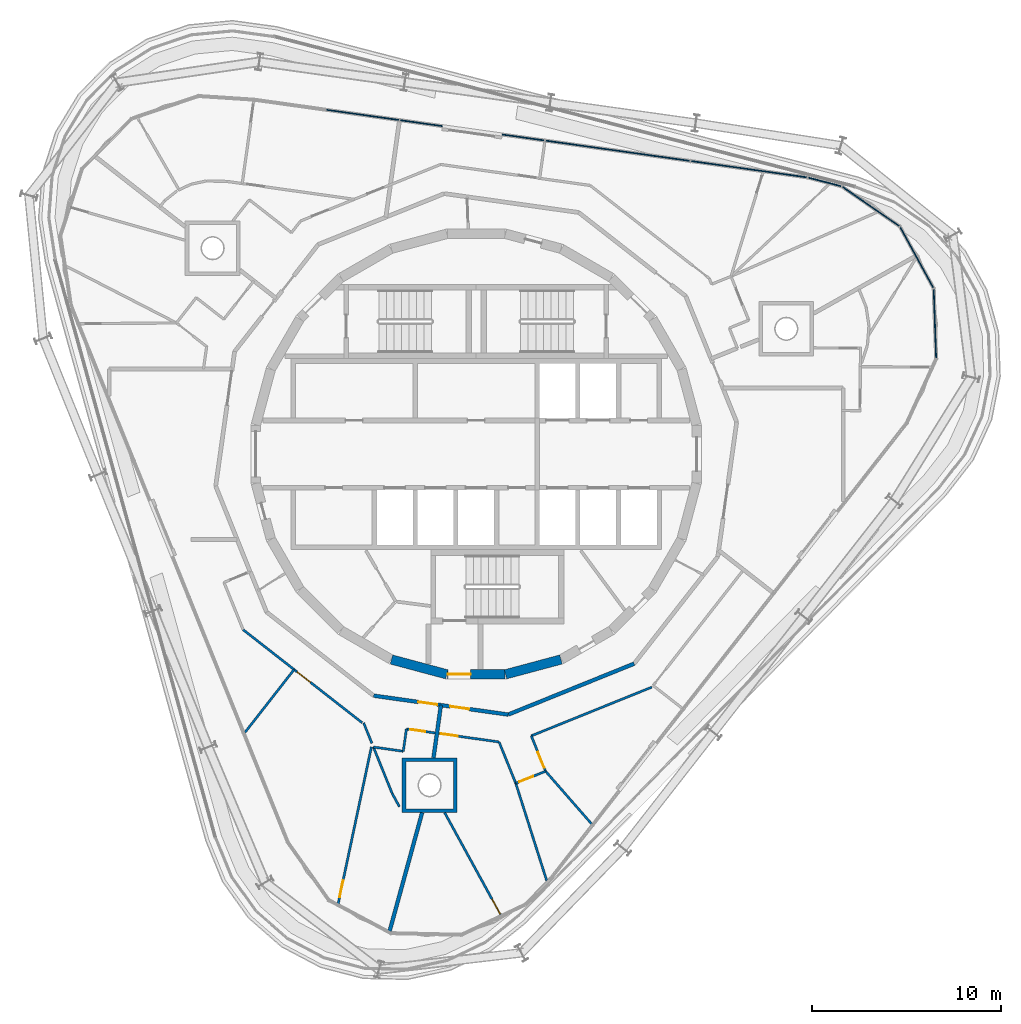
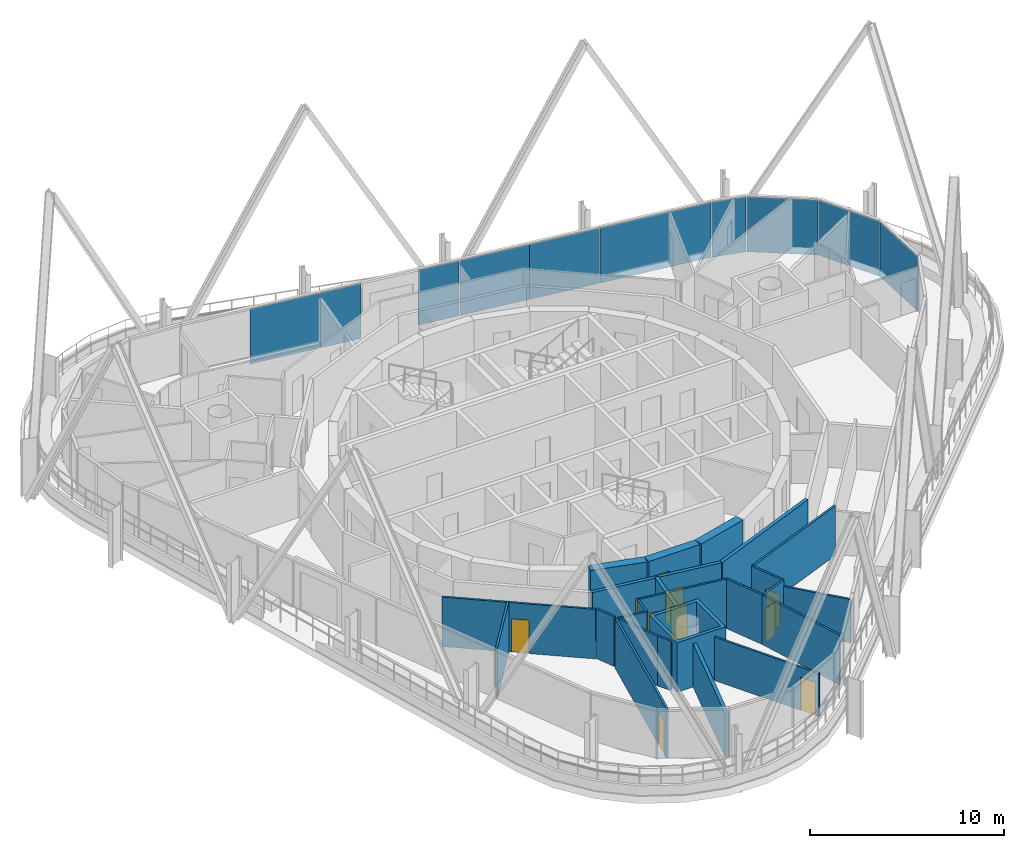
# One storey, part 9 of 17: 24 walls, 10 doors, 10 plates, 10 openings, 2 elements without a shape of their own.
"""IFC4 building model written with IfcOpenShell, lengths in metres."""

from ifc_helpers import new_model, si_unit, direction, frame, frame_2d, origin, origin_2d, place, context, subcontext, project, spatial, polyline, rectangle, outline, extrude, material, layer, layer_set, type_object, element, fill, aggregate, save


model = new_model("IFC4")

# Units and contexts
model_context = context("Model", 3, precision=1e-05, world=origin(), true_north=direction((0.0, 1.0)))
body_context = subcontext(model_context, "Body", "Model", "MODEL_VIEW")
ifc_project = project(units=[si_unit("LENGTHUNIT", "METRE"), si_unit("AREAUNIT", "SQUARE_METRE"), si_unit("VOLUMEUNIT", "CUBIC_METRE"), si_unit("PLANEANGLEUNIT", "RADIAN"), si_unit("MASSUNIT", "GRAM", prefix="KILO")], contexts=[model_context])

# Site, building, storey
site_placement = place(None, origin())
site = spatial("IfcSite", under=ifc_project, at=site_placement, CompositionType="ELEMENT")
building_placement = place(site_placement, origin())
building = spatial("IfcBuilding", under=site, at=building_placement, Name="Spindle Arch Residences", CompositionType="ELEMENT")
storey_placement = place(building_placement, frame((0.0, 0.0, 333.0)))
storey = spatial("IfcBuildingStorey", under=building, at=storey_placement, Name="L85", CompositionType="ELEMENT", Elevation=333.0)

# Curtain wall, plates
ifc_material_1 = material(Name="Aluminium bronze unitised frame with tinted glass", Category="aluminium")
ifc_layer_1 = layer(ifc_material_1, 0.159912109375)
ifc_layer_set_1 = layer_set([ifc_layer_1], Name="CW-D corner wall on the fillet arcs")
curtain_wall_type_1 = type_object("IfcCurtainWallType", Name="CW-D corner wall on the fillet arcs", PredefinedType="NOTDEFINED", material=ifc_layer_set_1)
curtain_wall_1_placement = place(storey_placement, origin())
curtain_wall_1 = element("IfcCurtainWall", 1, at=curtain_wall_1_placement, inside=storey, type_object=curtain_wall_type_1, Name="CW-D L85 run 1", PredefinedType="NOTDEFINED")
ifc_material_2 = material(Name="Tinted double glazing over aluminium faced non-combustible spandrel zone (K0)", Category="aluminium")
ifc_layer_2 = layer(ifc_material_2, 0.06005859375)
ifc_layer_set_2 = layer_set([ifc_layer_2], Name="Unitised glass panel with E 60 spandrel zone")
plate_type = type_object("IfcPlateType", Name="Unitised glass panel with E 60 spandrel zone", PredefinedType="CURTAIN_PANEL", material=ifc_layer_set_2)
plate_1_placement = place(storey_placement, frame((24.2470703125, 6.896240234375, -0.4501953125), z_axis=(0.0, 0.0, 1.0), x_axis=(-0.034899497139, 0.999390827004, 0.0)))
plate_1 = element("IfcPlate", 2, at=plate_1_placement, type_object=plate_type, Name="CW-D unit 02", PredefinedType="CURTAIN_PANEL", context=body_context, shape_type="SweptSolid", body=[
    extrude(rectangle(XDim=3.666748046875, YDim=0.06005859375, at=origin_2d()), origin(), (0.0, 0.0, 1.0), 3.449951171875),
])
plate_2_placement = place(storey_placement, frame((23.2880859375, 10.3935546875, -0.4501953125), z_axis=(0.0, 0.0, 1.0), x_axis=(-0.479713114021, 0.877425397533, 0.0)))
plate_2 = element("IfcPlate", 3, at=plate_2_placement, type_object=plate_type, Name="CW-D unit 03", PredefinedType="CURTAIN_PANEL", context=body_context, shape_type="SweptSolid", body=[
    extrude(rectangle(XDim=3.666748046875, YDim=0.06005859375, at=origin_2d()), origin(), (0.0, 0.0, 1.0), 3.449951171875),
])
plate_3_placement = place(storey_placement, frame((20.86181640625, 13.08837890625, -0.4501953125), z_axis=(0.0, 0.0, 1.0), x_axis=(-0.822475094841, 0.568801123739, 0.0)))
plate_3 = element("IfcPlate", 4, at=plate_3_placement, type_object=plate_type, Name="CW-D unit 04", PredefinedType="CURTAIN_PANEL", context=body_context, shape_type="SweptSolid", body=[
    extrude(rectangle(XDim=3.666748046875, YDim=0.06005859375, at=origin_2d()), origin(), (0.0, 0.0, 1.0), 3.449951171875),
])
plate_4_placement = place(storey_placement, frame((18.421630859375, 14.3857421875, -0.4501953125), z_axis=(0.0, 0.0, 1.0), x_axis=(-0.967415218326, 0.25319517245, 0.0)))
plate_4 = element("IfcPlate", 5, at=plate_4_placement, type_object=plate_type, Name="CW-D unit 05", PredefinedType="CURTAIN_PANEL", context=body_context, shape_type="SweptSolid", body=[
    extrude(rectangle(XDim=1.816162109375, YDim=0.06005859375, at=origin_2d()), origin(), (0.0, 0.0, 1.0), 3.449951171875),
])
plate_5_placement = place(storey_placement, frame((14.420166015625, 15.05810546875, -0.4501953125), z_axis=(0.0, 0.0, 1.0), x_axis=(-0.990268068742, 0.13917310096, 0.0)))
plate_5 = element("IfcPlate", 6, at=plate_5_placement, type_object=plate_type, Name="CW-D unit 06", PredefinedType="CURTAIN_PANEL", context=body_context, shape_type="SweptSolid", body=[
    extrude(rectangle(XDim=6.188720703125, YDim=0.06005859375, at=origin_2d()), origin(), (0.0, 0.0, 1.0), 3.449951171875),
])
aggregate(curtain_wall_1, [plate_1, plate_2, plate_3, plate_4, plate_5])

ifc_material_3 = material(Name="Aluminium bronze unitised frame with tinted glass", Category="aluminium")
ifc_layer_3 = layer(ifc_material_3, 0.159912109375)
ifc_layer_set_3 = layer_set([ifc_layer_3], Name="CW-C typical residential unitised wall")
curtain_wall_type_2 = type_object("IfcCurtainWallType", Name="CW-C typical residential unitised wall", PredefinedType="NOTDEFINED", material=ifc_layer_set_3)
curtain_wall_2_placement = place(storey_placement, origin())
curtain_wall_2 = element("IfcCurtainWall", 7, at=curtain_wall_2_placement, inside=storey, type_object=curtain_wall_type_2, Name="CW-C L85 run 2", PredefinedType="NOTDEFINED")
plate_6_placement = place(storey_placement, frame((9.388916015625, 15.76513671875, -0.4501953125), z_axis=(0.0, 0.0, 1.0), x_axis=(-0.990268068742, 0.13917310096, 0.0)))
plate_6 = element("IfcPlate", 8, at=plate_6_placement, type_object=plate_type, Name="CW-C unit 05A", PredefinedType="CURTAIN_PANEL", context=body_context, shape_type="SweptSolid", body=[
    extrude(rectangle(XDim=3.852783203125, YDim=0.06005859375, at=origin_2d()), origin(), (0.0, 0.0, 1.0), 3.449951171875),
])
plate_7_placement = place(storey_placement, frame((5.57373046875, 16.30126953125, -0.4501953125), z_axis=(0.0, 0.0, 1.0), x_axis=(-0.990268068742, 0.13917310096, 0.0)))
plate_7 = element("IfcPlate", 9, at=plate_7_placement, type_object=plate_type, Name="CW-C unit 05B", PredefinedType="CURTAIN_PANEL", context=body_context, shape_type="SweptSolid", body=[
    extrude(rectangle(XDim=3.852783203125, YDim=0.06005859375, at=origin_2d()), origin(), (0.0, 0.0, 1.0), 3.449951171875),
])
plate_8_placement = place(storey_placement, frame((2.4912109375, 16.734619140625, -0.4501953125), z_axis=(0.0, 0.0, 1.0), x_axis=(-0.990268068742, 0.13917310096, 0.0)))
plate_8 = element("IfcPlate", 10, at=plate_8_placement, type_object=plate_type, Name="CW-C unit 06L", PredefinedType="CURTAIN_PANEL", context=body_context, shape_type="SweptSolid", body=[
    extrude(rectangle(XDim=2.252685546875, YDim=0.06005859375, at=origin_2d()), origin(), (0.0, 0.0, 1.0), 3.449951171875),
])
plate_9_placement = place(storey_placement, frame((-2.90869140625, 17.493408203125, -0.4501953125), z_axis=(0.0, 0.0, 1.0), x_axis=(-0.990268068742, 0.13917310096, 0.0)))
plate_9 = element("IfcPlate", 11, at=plate_9_placement, type_object=plate_type, Name="CW-C unit 06R", PredefinedType="CURTAIN_PANEL", context=body_context, shape_type="SweptSolid", body=[
    extrude(rectangle(XDim=2.252685546875, YDim=0.06005859375, at=origin_2d()), origin(), (0.0, 0.0, 1.0), 3.449951171875),
])
plate_10_placement = place(storey_placement, frame((-5.9912109375, 17.9267578125, -0.4501953125), z_axis=(0.0, 0.0, 1.0), x_axis=(-0.990268068742, 0.13917310096, 0.0)))
plate_10 = element("IfcPlate", 12, at=plate_10_placement, type_object=plate_type, Name="CW-C unit 07A", PredefinedType="CURTAIN_PANEL", context=body_context, shape_type="SweptSolid", body=[
    extrude(rectangle(XDim=3.852783203125, YDim=0.06005859375, at=origin_2d()), origin(), (0.0, 0.0, 1.0), 3.449951171875),
])
aggregate(curtain_wall_2, [plate_6, plate_7, plate_8, plate_9, plate_10])

# Walls
ifc_material_4 = material(Name="Concrete C50/60", Category="concrete")
ifc_layer_4 = layer(ifc_material_4, 0.5)
ifc_layer_set_4 = layer_set([ifc_layer_4], Name="Core outline wall 500")
wall_type_1 = type_object("IfcWallType", Name="Core outline wall 500", PredefinedType="SHEAR", material=ifc_layer_set_4)
for number, where, z_axis, x_axis, name in (
    (13, (1.5498046875, -11.642822265625, 0.0), (0.0, 0.0, 1.0), (0.965948410781, 0.258734743916, 0.0), "Core outline wall 1"),
    (14, (-4.479248046875, -10.858154296875, 0.0), (0.0, 0.0, 1.0), (0.965948410781, -0.258734743916, 0.0), "Core outline wall 23"),
):
    element("IfcWall", number, at=place(storey_placement, frame(where, z_axis=z_axis, x_axis=x_axis)), inside=storey, type_object=wall_type_1, Name=name, PredefinedType="SHEAR", context=body_context, shape_type="SweptSolid", body=[
        extrude(rectangle(XDim=3.03271484375, YDim=0.5, at=frame_2d((1.516357421875, 0.0))), origin(), (0.0, 0.0, 1.0), 3.1201171875),
    ])

# Wall, opening, door
wall_1_placement = place(storey_placement, frame((-1.516357421875, -11.647216796875, 0.0), z_axis=(0.0, 0.0, 1.0), x_axis=(1.0, 0.0, 0.0)))
wall_1 = element("IfcWall", 15, at=wall_1_placement, inside=storey, type_object=wall_type_1, Name="Core outline wall 24", PredefinedType="SHEAR", context=body_context, shape_type="SweptSolid", body=[
    extrude(rectangle(XDim=3.03271484375, YDim=0.5, at=frame_2d((1.516357421875, 0.0))), origin(), (0.0, 0.0, 1.0), 3.1201171875),
])
opening_1_placement = place(wall_1_placement, frame((0.016357421875, 0.0, 0.0)))
opening_1 = element("IfcOpeningElement", 16, at=opening_1_placement, cuts=wall_1, Name="Opening R9A0-AD03", PredefinedType="OPENING", context=body_context, shape_type="SweptSolid", body=[
    extrude(rectangle(XDim=1.199951171875, YDim=2.10009765625, at=frame_2d((0.60009765625, 1.050048828125))), frame((0.0, 0.260009765625, 0.0), z_axis=(0.0, -1.0, 0.0), x_axis=(1.0, 0.0, 0.0)), (0.0, 0.0, 1.0), 0.52001953125),
])
ifc_material_5 = material(Name="Steel, fire-resisting door", Category="steel")
door_type_1 = type_object("IfcDoorType", Name="Stair airlock door 1200x2100", OperationType="SINGLE_SWING_LEFT", PredefinedType="DOOR", material=ifc_material_5)
door_1_placement = place(opening_1_placement, origin())
door_1 = element("IfcDoor", 17, at=door_1_placement, inside=storey, type_object=door_type_1, Name="Stair airlock door R9A0-AD03", OperationType="SINGLE_SWING_RIGHT", OverallHeight=2.10009765625, OverallWidth=1.199951171875, PredefinedType="DOOR", context=body_context, shape_type="SweptSolid", body=[
    extrude(rectangle(XDim=1.199951171875, YDim=2.10009765625, at=frame_2d((0.60009765625, 1.050048828125))), frame((0.0, 0.02490234375, 0.0), z_axis=(0.0, -1.0, 0.0), x_axis=(1.0, 0.0, 0.0)), (0.0, 0.0, 1.0), 0.050048828125),
])
fill(opening_1, door_1)

# Wall, openings, doors
ifc_material_6 = material(Name="Calcium silicate block, plastered")
ifc_layer_5 = layer(ifc_material_6, 0.199951171875)
ifc_layer_set_5 = layer_set([ifc_layer_5], Name="Corridor wall 200")
wall_type_2 = type_object("IfcWallType", Name="Corridor wall 200", PredefinedType="STANDARD", material=ifc_layer_set_5)
wall_2_placement = place(storey_placement, frame((-5.42041015625, -12.77001953125, 0.0), z_axis=(0.0, 0.0, 1.0), x_axis=(0.990270565508, -0.139155334385, 0.0)))
wall_2 = element("IfcWall", 18, at=wall_2_placement, inside=storey, type_object=wall_type_2, Name="Corridor wall R9A0-W015", PredefinedType="STANDARD", context=body_context, shape_type="SweptSolid", body=[
    extrude(rectangle(XDim=7.180908203125, YDim=0.199951171875, at=frame_2d((3.59033203125, 0.0))), origin(), (0.0, 0.0, 1.0), 3.1201171875),
])
opening_2_placement = place(wall_2_placement, frame((2.390380859375, 0.0, 0.0)))
opening_2 = element("IfcOpeningElement", 19, at=opening_2_placement, cuts=wall_2, Name="Opening R9A0-FD05", PredefinedType="OPENING", context=body_context, shape_type="SweptSolid", body=[
    extrude(rectangle(XDim=1.0, YDim=2.10009765625, at=frame_2d((0.5, 1.050048828125))), frame((0.0, 0.10986328125, 0.0), z_axis=(0.0, -1.0, 0.0), x_axis=(1.0, 0.0, 0.0)), (0.0, 0.0, 1.0), 0.219970703125),
])
opening_3_placement = place(wall_2_placement, frame((4.090576171875, 0.0, 0.0)))
opening_3 = element("IfcOpeningElement", 20, at=opening_3_placement, cuts=wall_2, Name="Opening R9A0-FD06", PredefinedType="OPENING", context=body_context, shape_type="SweptSolid", body=[
    extrude(rectangle(XDim=1.0, YDim=2.10009765625, at=frame_2d((0.5, 1.050048828125))), frame((0.0, 0.10986328125, 0.0), z_axis=(0.0, -1.0, 0.0), x_axis=(1.0, 0.0, 0.0)), (0.0, 0.0, 1.0), 0.219970703125),
])
ifc_material_7 = material(Name="Timber, fire-resisting door set", Category="wood")
door_type_2 = type_object("IfcDoorType", Name="Flat entrance door 1000x2100", OperationType="NOTDEFINED", PredefinedType="DOOR", material=ifc_material_7)
door_2_placement = place(opening_2_placement, origin())
door_2 = element("IfcDoor", 21, at=door_2_placement, inside=storey, type_object=door_type_2, Name="Flat entrance door R9A0-FD05", OperationType="SINGLE_SWING_RIGHT", OverallHeight=2.10009765625, OverallWidth=1.0, PredefinedType="DOOR", context=body_context, shape_type="SweptSolid", body=[
    extrude(rectangle(XDim=1.0, YDim=2.10009765625, at=frame_2d((0.5, 1.050048828125))), frame((0.0, 0.02490234375, 0.0), z_axis=(0.0, -1.0, 0.0), x_axis=(1.0, 0.0, 0.0)), (0.0, 0.0, 1.0), 0.050048828125),
])
fill(opening_2, door_2)
door_3_placement = place(opening_3_placement, origin())
door_3 = element("IfcDoor", 22, at=door_3_placement, inside=storey, type_object=door_type_2, Name="Flat entrance door R9A0-FD06", OperationType="SINGLE_SWING_RIGHT", OverallHeight=2.10009765625, OverallWidth=1.0, PredefinedType="DOOR", context=body_context, shape_type="SweptSolid", body=[
    extrude(rectangle(XDim=1.0, YDim=2.10009765625, at=frame_2d((0.5, 1.050048828125))), frame((0.0, 0.02490234375, 0.0), z_axis=(0.0, -1.0, 0.0), x_axis=(1.0, 0.0, 0.0)), (0.0, 0.0, 1.0), 0.050048828125),
])
fill(opening_3, door_3)

# Wall
wall_3_placement = place(storey_placement, frame((1.690673828125, -13.769287109375, 0.0), z_axis=(0.0, 0.0, 1.0), x_axis=(0.92717916932, 0.374618189599, 0.0)))
element("IfcWall", 23, at=wall_3_placement, inside=storey, type_object=wall_type_2, Name="Corridor wall R9A0-W016", PredefinedType="STANDARD", context=body_context, shape_type="SweptSolid", body=[
    extrude(rectangle(XDim=7.18115234375, YDim=0.199951171875, at=frame_2d((3.590576171875, 0.0))), origin(), (0.0, 0.0, 1.0), 3.1201171875),
])

# Wall, opening, door
ifc_material_8 = material(Name="Plasterboard on steel studs", Category="steel")
ifc_layer_6 = layer(ifc_material_8, 0.1201171875)
ifc_layer_set_6 = layer_set([ifc_layer_6], Name="Flat partition 120")
wall_type_3 = type_object("IfcWallType", Name="Flat partition 120", PredefinedType="PARTITIONING", material=ifc_layer_set_6)
wall_4_placement = place(storey_placement, frame((-12.3193359375, -9.283447265625, 0.0), z_axis=(0.0, 0.0, 1.0), x_axis=(0.788000268464, -0.61567489546, 0.0)))
wall_4 = element("IfcWall", 24, at=wall_4_placement, inside=storey, type_object=wall_type_3, Name="Flat partition R9A0-W074", PredefinedType="PARTITIONING", context=body_context, shape_type="SweptSolid", body=[
    extrude(rectangle(XDim=7.98486328125, YDim=0.1201171875, at=frame_2d((3.992431640625, 0.0))), origin(), (0.0, 0.0, 1.0), 3.1201171875),
])
opening_4_placement = place(wall_4_placement, frame((3.619140625, 0.0, 0.0)))
opening_4 = element("IfcOpeningElement", 25, at=opening_4_placement, cuts=wall_4, Name="Opening R9A0-ID16", PredefinedType="OPENING", context=body_context, shape_type="SweptSolid", body=[
    extrude(rectangle(XDim=0.89990234375, YDim=2.10009765625, at=frame_2d((0.449951171875, 1.050048828125))), frame((0.0, 0.070068359375, 0.0), z_axis=(0.0, -1.0, 0.0), x_axis=(1.0, 0.0, 0.0)), (0.0, 0.0, 1.0), 0.14013671875),
])
ifc_material_9 = material(Name="Timber door set", Category="wood")
door_type_3 = type_object("IfcDoorType", Name="Room door 900x2100", OperationType="NOTDEFINED", PredefinedType="DOOR", material=ifc_material_9)
door_4_placement = place(opening_4_placement, origin())
door_4 = element("IfcDoor", 26, at=door_4_placement, inside=storey, type_object=door_type_3, Name="Room door R9A0-ID16", OperationType="SINGLE_SWING_RIGHT", OverallHeight=2.10009765625, OverallWidth=0.89990234375, PredefinedType="DOOR", context=body_context, shape_type="SweptSolid", body=[
    extrude(rectangle(XDim=0.89990234375, YDim=2.10009765625, at=frame_2d((0.449951171875, 1.050048828125))), frame((0.0, 0.02490234375, 0.0), z_axis=(0.0, -1.0, 0.0), x_axis=(1.0, 0.0, 0.0)), (0.0, 0.0, 1.0), 0.050048828125),
])
fill(opening_4, door_4)

# Walls
wall_5_placement = place(storey_placement, frame((-5.9482421875, -14.21044921875, 0.0), z_axis=(0.0, 0.0, 1.0), x_axis=(0.374601530156, -0.927185900241, 0.0)))
element("IfcWall", 27, at=wall_5_placement, inside=storey, type_object=wall_type_3, Name="Flat partition R9A0-W075", PredefinedType="PARTITIONING", context=body_context, shape_type="SweptSolid", body=[
    extrude(rectangle(XDim=1.166015625, YDim=0.1201171875, at=frame_2d((0.5830078125, 0.0))), origin(), (0.0, 0.0, 1.0), 3.1201171875),
])
wall_6_placement = place(storey_placement, frame((-5.4326171875, -15.486572265625, 0.0), z_axis=(0.0, 0.0, 1.0), x_axis=(0.990268451053, -0.139170380644, 0.0)))
element("IfcWall", 28, at=wall_6_placement, inside=storey, type_object=wall_type_3, Name="Flat partition R9A0-W076", PredefinedType="PARTITIONING", context=body_context, shape_type="SweptSolid", body=[
    extrude(rectangle(XDim=1.5947265625, YDim=0.1201171875, at=frame_2d((0.79736328125, 0.0))), origin(), (0.0, 0.0, 1.0), 3.1201171875),
])
wall_7_placement = place(storey_placement, frame((-3.853515625, -15.70849609375, 0.0), z_axis=(0.0, 0.0, 1.0), x_axis=(0.139298773474, 0.99025039849, 0.0)))
element("IfcWall", 29, at=wall_7_placement, inside=storey, type_object=wall_type_3, Name="Flat partition R9A0-W077", PredefinedType="PARTITIONING", context=body_context, shape_type="SweptSolid", body=[
    extrude(rectangle(XDim=1.19189453125, YDim=0.1201171875, at=frame_2d((0.595947265625, 0.0))), origin(), (0.0, 0.0, 1.0), 3.1201171875),
])

# Wall, openings, doors
wall_8_placement = place(storey_placement, frame((-3.6875, -14.5283203125, 0.0), z_axis=(0.0, 0.0, 1.0), x_axis=(0.990273698817, -0.139133035013, 0.0)))
wall_8 = element("IfcWall", 30, at=wall_8_placement, inside=storey, type_object=wall_type_3, Name="Flat partition R9A0-W078", PredefinedType="PARTITIONING", context=body_context, shape_type="SweptSolid", body=[
    extrude(rectangle(XDim=4.94482421875, YDim=0.1201171875, at=frame_2d((2.472412109375, 0.0))), origin(), (0.0, 0.0, 1.0), 3.1201171875),
])
opening_5_placement = place(wall_8_placement, frame((0.199951171875, 0.0, 0.0)))
opening_5 = element("IfcOpeningElement", 31, at=opening_5_placement, cuts=wall_8, Name="Opening R9A0-BD05", PredefinedType="OPENING", context=body_context, shape_type="SweptSolid", body=[
    extrude(rectangle(XDim=0.800048828125, YDim=2.10009765625, at=frame_2d((0.39990234375, 1.050048828125))), frame((0.0, 0.070068359375, 0.0), z_axis=(0.0, -1.0, 0.0), x_axis=(1.0, 0.0, 0.0)), (0.0, 0.0, 1.0), 0.14013671875),
])
opening_6_placement = place(wall_8_placement, frame((1.829833984375, 0.0, 0.0)))
opening_6 = element("IfcOpeningElement", 32, at=opening_6_placement, cuts=wall_8, Name="Opening R9A0-ID18", PredefinedType="OPENING", context=body_context, shape_type="SweptSolid", body=[
    extrude(rectangle(XDim=0.89990234375, YDim=2.10009765625, at=frame_2d((0.449951171875, 1.050048828125))), frame((0.0, 0.070068359375, 0.0), z_axis=(0.0, -1.0, 0.0), x_axis=(1.0, 0.0, 0.0)), (0.0, 0.0, 1.0), 0.14013671875),
])
ifc_material_10 = material(Name="Timber door set", Category="wood")
door_type_4 = type_object("IfcDoorType", Name="Bathroom door 800x2100", OperationType="NOTDEFINED", PredefinedType="DOOR", material=ifc_material_10)
door_5_placement = place(opening_5_placement, origin())
door_5 = element("IfcDoor", 33, at=door_5_placement, inside=storey, type_object=door_type_4, Name="Bathroom door R9A0-BD05", OperationType="SINGLE_SWING_RIGHT", OverallHeight=2.10009765625, OverallWidth=0.800048828125, PredefinedType="DOOR", context=body_context, shape_type="SweptSolid", body=[
    extrude(rectangle(XDim=0.800048828125, YDim=2.10009765625, at=frame_2d((0.39990234375, 1.050048828125))), frame((0.0, 0.02490234375, 0.0), z_axis=(0.0, -1.0, 0.0), x_axis=(1.0, 0.0, 0.0)), (0.0, 0.0, 1.0), 0.050048828125),
])
fill(opening_5, door_5)
door_6_placement = place(opening_6_placement, origin())
door_6 = element("IfcDoor", 34, at=door_6_placement, inside=storey, type_object=door_type_3, Name="Room door R9A0-ID18", OperationType="SINGLE_SWING_RIGHT", OverallHeight=2.10009765625, OverallWidth=0.89990234375, PredefinedType="DOOR", context=body_context, shape_type="SweptSolid", body=[
    extrude(rectangle(XDim=0.89990234375, YDim=2.10009765625, at=frame_2d((0.449951171875, 1.050048828125))), frame((0.0, 0.02490234375, 0.0), z_axis=(0.0, -1.0, 0.0), x_axis=(1.0, 0.0, 0.0)), (0.0, 0.0, 1.0), 0.050048828125),
])
fill(opening_6, door_6)

# Wall
wall_9_placement = place(storey_placement, frame((-12.218505859375, -14.7080078125, 0.0), z_axis=(0.0, 0.0, 1.0), x_axis=(0.615656413137, 0.788014708596, 0.0)))
element("IfcWall", 35, at=wall_9_placement, inside=storey, type_object=wall_type_3, Name="Flat partition R9A0-W079", PredefinedType="PARTITIONING", context=body_context, shape_type="SweptSolid", body=[
    extrude(rectangle(XDim=4.212646484375, YDim=0.1201171875, at=frame_2d((2.1064453125, 0.0))), origin(), (0.0, 0.0, 1.0), 3.1201171875),
])

# Wall, opening, door
wall_10_placement = place(storey_placement, frame((-7.305419921875, -23.81494140625, 0.0), z_axis=(0.0, 0.0, 1.0), x_axis=(0.207366409306, 0.978263345062, 0.0)))
wall_10 = element("IfcWall", 36, at=wall_10_placement, inside=storey, type_object=wall_type_3, Name="Flat partition R9A0-W080", PredefinedType="PARTITIONING", context=body_context, shape_type="SweptSolid", body=[
    extrude(rectangle(XDim=8.528564453125, YDim=0.1201171875, at=frame_2d((4.26416015625, 0.0))), origin(), (0.0, 0.0, 1.0), 3.1201171875),
])
opening_7_placement = place(wall_10_placement, frame((0.39990234375, 0.0, 0.0)))
opening_7 = element("IfcOpeningElement", 37, at=opening_7_placement, cuts=wall_10, Name="Opening R9A0-ID17", PredefinedType="OPENING", context=body_context, shape_type="SweptSolid", body=[
    extrude(rectangle(XDim=0.89990234375, YDim=2.10009765625, at=frame_2d((0.449951171875, 1.050048828125))), frame((0.0, 0.070068359375, 0.0), z_axis=(0.0, -1.0, 0.0), x_axis=(1.0, 0.0, 0.0)), (0.0, 0.0, 1.0), 0.14013671875),
])
door_7_placement = place(opening_7_placement, origin())
door_7 = element("IfcDoor", 38, at=door_7_placement, inside=storey, type_object=door_type_3, Name="Room door R9A0-ID17", OperationType="SINGLE_SWING_RIGHT", OverallHeight=2.10009765625, OverallWidth=0.89990234375, PredefinedType="DOOR", context=body_context, shape_type="SweptSolid", body=[
    extrude(rectangle(XDim=0.89990234375, YDim=2.10009765625, at=frame_2d((0.449951171875, 1.050048828125))), frame((0.0, 0.02490234375, 0.0), z_axis=(0.0, -1.0, 0.0), x_axis=(1.0, 0.0, 0.0)), (0.0, 0.0, 1.0), 0.050048828125),
])
fill(opening_7, door_7)

# Walls
wall_11_placement = place(storey_placement, frame((-4.05859375, -18.637939453125, 0.0), z_axis=(0.0, 0.0, 1.0), x_axis=(-0.479488268542, 0.877548289458, 0.0)))
element("IfcWall", 39, at=wall_11_placement, inside=storey, type_object=wall_type_3, Name="Flat partition R9A0-W081", PredefinedType="PARTITIONING", context=body_context, shape_type="SweptSolid", body=[
    extrude(rectangle(XDim=0.806640625, YDim=0.1201171875, at=frame_2d((0.4033203125, 0.0))), origin(), (0.0, 0.0, 1.0), 3.1201171875),
])
wall_12_placement = place(storey_placement, frame((-4.4453125, -17.93017578125, 0.0), z_axis=(0.0, 0.0, 1.0), x_axis=(-0.374614676827, 0.927180588616, 0.0)))
element("IfcWall", 40, at=wall_12_placement, inside=storey, type_object=wall_type_3, Name="Flat partition R9A0-W082", PredefinedType="PARTITIONING", context=body_context, shape_type="SweptSolid", body=[
    extrude(rectangle(XDim=2.635498046875, YDim=0.1201171875, at=frame_2d((1.31787109375, 0.0))), origin(), (0.0, 0.0, 1.0), 3.1201171875),
])
wall_13_placement = place(storey_placement, frame((1.209228515625, -15.21630859375, 0.0), z_axis=(0.0, 0.0, 1.0), x_axis=(0.374531550488, -0.927214170345, 0.0)))
element("IfcWall", 41, at=wall_13_placement, inside=storey, type_object=wall_type_3, Name="Flat partition R9A0-W083", PredefinedType="PARTITIONING", context=body_context, shape_type="SweptSolid", body=[
    extrude(rectangle(XDim=2.357177734375, YDim=0.1201171875, at=frame_2d((1.1787109375, 0.0))), origin(), (0.0, 0.0, 1.0), 3.1201171875),
])

# Wall, opening, door
wall_14_placement = place(storey_placement, frame((2.092041015625, -17.40185546875, 0.0), z_axis=(0.0, 0.0, 1.0), x_axis=(0.927153589835, 0.374681492546, 0.0)))
wall_14 = element("IfcWall", 42, at=wall_14_placement, inside=storey, type_object=wall_type_3, Name="Flat partition R9A0-W084", PredefinedType="PARTITIONING", context=body_context, shape_type="SweptSolid", body=[
    extrude(rectangle(XDim=1.699951171875, YDim=0.1201171875, at=frame_2d((0.85009765625, 0.0))), origin(), (0.0, 0.0, 1.0), 3.1201171875),
])
opening_8_placement = place(wall_14_placement, frame((0.199951171875, 0.0, 0.0)))
opening_8 = element("IfcOpeningElement", 43, at=opening_8_placement, cuts=wall_14, Name="Opening R9A0-BD06", PredefinedType="OPENING", context=body_context, shape_type="SweptSolid", body=[
    extrude(rectangle(XDim=0.800048828125, YDim=2.10009765625, at=frame_2d((0.39990234375, 1.050048828125))), frame((0.0, 0.070068359375, 0.0), z_axis=(0.0, -1.0, 0.0), x_axis=(1.0, 0.0, 0.0)), (0.0, 0.0, 1.0), 0.14013671875),
])
door_8_placement = place(opening_8_placement, origin())
door_8 = element("IfcDoor", 44, at=door_8_placement, inside=storey, type_object=door_type_4, Name="Bathroom door R9A0-BD06", OperationType="SINGLE_SWING_LEFT", OverallHeight=2.10009765625, OverallWidth=0.800048828125, PredefinedType="DOOR", context=body_context, shape_type="SweptSolid", body=[
    extrude(rectangle(XDim=0.800048828125, YDim=2.10009765625, at=frame_2d((0.39990234375, 1.050048828125))), frame((0.0, 0.02490234375, 0.0), z_axis=(0.0, -1.0, 0.0), x_axis=(1.0, 0.0, 0.0)), (0.0, 0.0, 1.0), 0.050048828125),
])
fill(opening_8, door_8)

wall_15_placement = place(storey_placement, frame((3.668212890625, -16.764892578125, 0.0), z_axis=(0.0, 0.0, 1.0), x_axis=(-0.374621045498, 0.927178015416, 0.0)))
wall_15 = element("IfcWall", 45, at=wall_15_placement, inside=storey, type_object=wall_type_3, Name="Flat partition R9A0-W085", PredefinedType="PARTITIONING", context=body_context, shape_type="SweptSolid", body=[
    extrude(rectangle(XDim=2.018310546875, YDim=0.1201171875, at=frame_2d((1.00927734375, 0.0))), origin(), (0.0, 0.0, 1.0), 3.1201171875),
])
opening_9_placement = place(wall_15_placement, frame((0.199951171875, 0.0, 0.0)))
opening_9 = element("IfcOpeningElement", 46, at=opening_9_placement, cuts=wall_15, Name="Opening R9A0-ID19", PredefinedType="OPENING", context=body_context, shape_type="SweptSolid", body=[
    extrude(rectangle(XDim=0.89990234375, YDim=2.10009765625, at=frame_2d((0.449951171875, 1.050048828125))), frame((0.0, 0.070068359375, 0.0), z_axis=(0.0, -1.0, 0.0), x_axis=(1.0, 0.0, 0.0)), (0.0, 0.0, 1.0), 0.14013671875),
])
door_9_placement = place(opening_9_placement, origin())
door_9 = element("IfcDoor", 47, at=door_9_placement, inside=storey, type_object=door_type_3, Name="Room door R9A0-ID19", OperationType="SINGLE_SWING_RIGHT", OverallHeight=2.10009765625, OverallWidth=0.89990234375, PredefinedType="DOOR", context=body_context, shape_type="SweptSolid", body=[
    extrude(rectangle(XDim=0.89990234375, YDim=2.10009765625, at=frame_2d((0.449951171875, 1.050048828125))), frame((0.0, 0.02490234375, 0.0), z_axis=(0.0, -1.0, 0.0), x_axis=(1.0, 0.0, 0.0)), (0.0, 0.0, 1.0), 0.050048828125),
])
fill(opening_9, door_9)

# Walls
wall_16_placement = place(storey_placement, frame((2.912109375, -14.8935546875, 0.0), z_axis=(0.0, 0.0, 1.0), x_axis=(0.927182280165, 0.374610490174, 0.0)))
element("IfcWall", 48, at=wall_16_placement, inside=storey, type_object=wall_type_3, Name="Flat partition R9A0-W086", PredefinedType="PARTITIONING", context=body_context, shape_type="SweptSolid", body=[
    extrude(rectangle(XDim=6.871826171875, YDim=0.1201171875, at=frame_2d((3.43603515625, 0.0))), origin(), (0.0, 0.0, 1.0), 3.1201171875),
])
wall_17_placement = place(storey_placement, frame((3.7275390625, -22.5478515625, 0.0), z_axis=(0.0, 0.0, 1.0), x_axis=(-0.302890110312, 0.953025488156, 0.0)))
element("IfcWall", 49, at=wall_17_placement, inside=storey, type_object=wall_type_3, Name="Flat partition R9A0-W089", PredefinedType="PARTITIONING", context=body_context, shape_type="SweptSolid", body=[
    extrude(rectangle(XDim=5.399658203125, YDim=0.1201171875, at=frame_2d((2.69970703125, 0.0))), origin(), (0.0, 0.0, 1.0), 3.1201171875),
])

# Wall, opening, door
ifc_material_11 = material(Name="Plasterboard on steel studs", Category="steel")
ifc_layer_7 = layer(ifc_material_11, 0.1201171875)
ifc_layer_set_7 = layer_set([ifc_layer_7], Name="Flat partition 120 under beam 2730")
wall_type_4 = type_object("IfcWallType", Name="Flat partition 120 under beam 2730", PredefinedType="PARTITIONING", material=ifc_layer_set_7)
wall_18_placement = place(storey_placement, frame((1.36328125, -24.4853515625, 0.0), z_axis=(0.0, 0.0, 1.0), x_axis=(-0.480397592444, 0.877050827018, 0.0)))
wall_18 = element("IfcWall", 50, at=wall_18_placement, inside=storey, type_object=wall_type_4, Name="Flat partition R9A0-W088", PredefinedType="PARTITIONING", context=body_context, shape_type="SweptSolid", body=[
    extrude(rectangle(XDim=6.305908203125, YDim=0.1201171875, at=frame_2d((3.15283203125, 0.0))), origin(), (0.0, 0.0, 1.0), 2.72998046875),
])
opening_10_placement = place(wall_18_placement, frame((0.199951171875, 0.0, 0.0)))
opening_10 = element("IfcOpeningElement", 51, at=opening_10_placement, cuts=wall_18, Name="Opening R9A0-ID21", PredefinedType="OPENING", context=body_context, shape_type="SweptSolid", body=[
    extrude(rectangle(XDim=0.89990234375, YDim=2.10009765625, at=frame_2d((0.449951171875, 1.050048828125))), frame((0.0, 0.070068359375, 0.0), z_axis=(0.0, -1.0, 0.0), x_axis=(1.0, 0.0, 0.0)), (0.0, 0.0, 1.0), 0.14013671875),
])
door_10_placement = place(opening_10_placement, origin())
door_10 = element("IfcDoor", 52, at=door_10_placement, inside=storey, type_object=door_type_3, Name="Room door R9A0-ID21", OperationType="SINGLE_SWING_LEFT", OverallHeight=2.10009765625, OverallWidth=0.89990234375, PredefinedType="DOOR", context=body_context, shape_type="SweptSolid", body=[
    extrude(rectangle(XDim=0.89990234375, YDim=2.10009765625, at=frame_2d((0.449951171875, 1.050048828125))), frame((0.0, 0.02490234375, 0.0), z_axis=(0.0, -1.0, 0.0), x_axis=(1.0, 0.0, 0.0)), (0.0, 0.0, 1.0), 0.050048828125),
])
fill(opening_10, door_10)

# Walls
wall_19_placement = place(storey_placement, frame((6.097412109375, -19.5458984375, 0.0), z_axis=(0.0, 0.0, 1.0), x_axis=(-0.657863093444, 0.753137537429, 0.0)))
element("IfcWall", 53, at=wall_19_placement, inside=storey, type_object=wall_type_4, Name="Flat partition R9A0-W090", PredefinedType="PARTITIONING", context=body_context, shape_type="SweptSolid", body=[
    extrude(rectangle(XDim=3.692626953125, YDim=0.1201171875, at=frame_2d((1.84619140625, 0.0))), origin(), (0.0, 0.0, 1.0), 2.72998046875),
])
ifc_material_12 = material(Name="Calcium silicate block, plastered")
ifc_layer_8 = layer(ifc_material_12, 0.199951171875)
ifc_layer_set_8 = layer_set([ifc_layer_8], Name="Flat party wall 200")
wall_type_5 = type_object("IfcWallType", Name="Flat party wall 200", PredefinedType="STANDARD", material=ifc_layer_set_8)
wall_20_placement = place(storey_placement, frame((-2.25634765625, -16.0546875, 0.0), z_axis=(0.0, 0.0, 1.0), x_axis=(0.139148428478, 0.990271535919, 0.0)))
element("IfcWall", 54, at=wall_20_placement, inside=storey, type_object=wall_type_5, Name="Flat party wall R9A0-W029", PredefinedType="STANDARD", context=body_context, shape_type="SweptSolid", body=[
    extrude(rectangle(XDim=2.8125, YDim=0.199951171875, at=frame_2d((1.40625, 0.0))), origin(), (0.0, 0.0, 1.0), 3.1201171875),
])
ifc_material_13 = material(Name="Calcium silicate block, plastered")
ifc_layer_9 = layer(ifc_material_13, 0.199951171875)
ifc_layer_set_9 = layer_set([ifc_layer_9], Name="Flat party wall 200 under beam 2730")
wall_type_6 = type_object("IfcWallType", Name="Flat party wall 200 under beam 2730", PredefinedType="STANDARD", material=ifc_layer_set_9)
wall_21_placement = place(storey_placement, frame((-4.573974609375, -25.209716796875, 0.0), z_axis=(0.0, 0.0, 1.0), x_axis=(0.264579024648, 0.964364007892, 0.0)))
element("IfcWall", 55, at=wall_21_placement, inside=storey, type_object=wall_type_6, Name="Flat party wall R9A0-W030", PredefinedType="STANDARD", context=body_context, shape_type="SweptSolid", body=[
    extrude(rectangle(XDim=6.486083984375, YDim=0.199951171875, at=frame_2d((3.2431640625, 0.0))), origin(), (0.0, 0.0, 1.0), 2.72998046875),
])
ifc_material_14 = material(Name="Calcium silicate block, plastered")
ifc_layer_10 = layer(ifc_material_14, 0.199951171875)
ifc_layer_set_10 = layer_set([ifc_layer_10], Name="Mega-column casing wall 200")
wall_type_7 = type_object("IfcWallType", Name="Mega-column casing wall 200", PredefinedType="STANDARD", material=ifc_layer_set_10)
wall_22_placement = place(storey_placement, origin())
element("IfcWall", 56, at=wall_22_placement, inside=storey, type_object=wall_type_7, Name="Mega-column casing wall R9A0-WC03", PredefinedType="STANDARD", context=body_context, shape_type="SweptSolid", body=[
    extrude(outline(polyline([(-1.010009765625, -16.0546875), (-1.010009765625, -18.954833984375), (-3.91015625, -18.954833984375), (-3.91015625, -16.0546875), (-1.010009765625, -16.0546875)]), holes=[polyline([(-3.710205078125, -18.7548828125), (-1.210205078125, -18.7548828125), (-1.210205078125, -16.2548828125), (-3.710205078125, -16.2548828125), (-3.710205078125, -18.7548828125)])]), origin(), (0.0, 0.0, 1.0), 3.1201171875),
])

save(model, "model.ifc")
